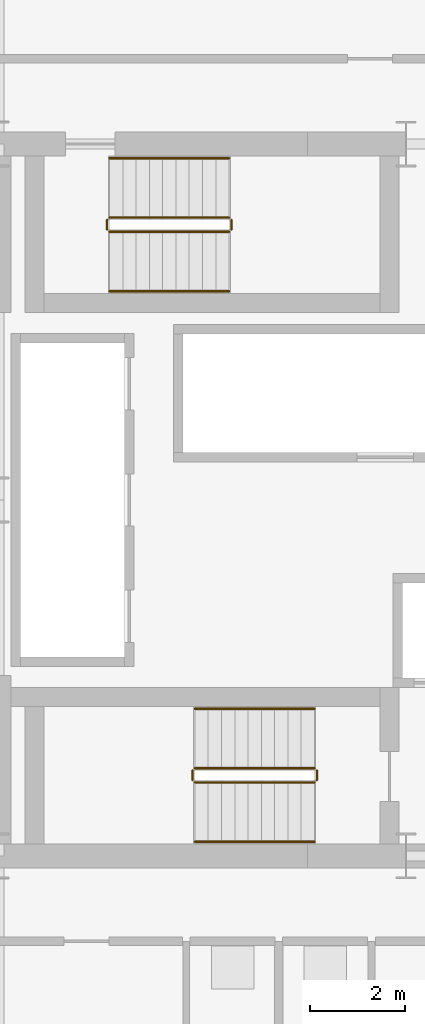
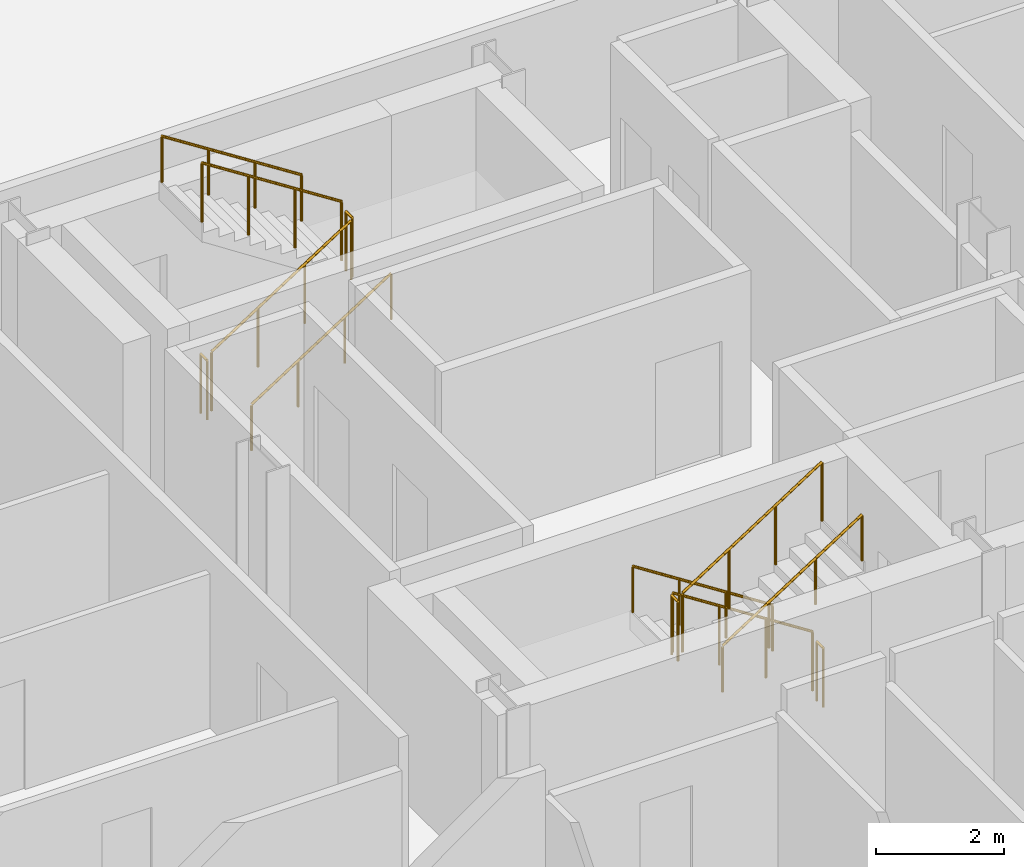
# One storey, part 22 of 23: 12 railings.
"""IFC4 building model written with IfcOpenShell, lengths in metres."""

from ifc_helpers import new_model, si_unit, direction, frame, origin, origin_2d, place, context, subcontext, project, spatial, circle, extrude, material, type_object, element, save


model = new_model("IFC4")

# Units and contexts
model_context = context("Model", 3, precision=1e-05, world=origin(), true_north=direction((0.0, 1.0)))
body_context = subcontext(model_context, "Body", "Model", "MODEL_VIEW")
ifc_project = project(units=[si_unit("LENGTHUNIT", "METRE"), si_unit("AREAUNIT", "SQUARE_METRE"), si_unit("VOLUMEUNIT", "CUBIC_METRE"), si_unit("PLANEANGLEUNIT", "RADIAN"), si_unit("MASSUNIT", "GRAM", prefix="KILO")], contexts=[model_context])

# Site, building, storey
site_placement = place(None, origin())
site = spatial("IfcSite", under=ifc_project, at=site_placement, CompositionType="ELEMENT")
building_placement = place(site_placement, origin())
building = spatial("IfcBuilding", under=site, at=building_placement, Name="Barlavira Tower and Art Museum", CompositionType="ELEMENT")
storey_placement = place(building_placement, frame((0.0, 0.0, 75.60009765625)))
storey = spatial("IfcBuildingStorey", under=building, at=storey_placement, Name="L18", CompositionType="ELEMENT", Elevation=75.60009765625)

# Railings
ifc_material = material(Name="Brushed stainless steel", Category="steel")
railing_type_1 = type_object("IfcRailingType", Name="Interior Void and Landing Guard Railing 1150", PredefinedType="GUARDRAIL", material=ifc_material)
railing_1_placement = place(storey_placement, frame((0.14990234375, -5.64990234375, 0.179931640625)))
element("IfcRailing", 1, at=railing_1_placement, inside=storey, type_object=railing_type_1, Name="L18 ST-T1 stair guard 1", PredefinedType="GUARDRAIL", context=body_context, shape_type="SweptSolid", body=[
    extrude(circle(Radius=0.02392578125, at=origin_2d()), frame((0.0, 0.0, 1.1259765625), z_axis=(-0.841199657755, 0.0, 0.540724639528), x_axis=(0.0, -1.0, 0.0)), (0.0, 0.0, 1.0), 2.995849609375),
    extrude(circle(Radius=0.02099609375, at=origin_2d()), origin(), (0.0, 0.0, 1.0), 1.101806640625),
    extrude(circle(Radius=0.02099609375, at=origin_2d()), frame((-0.840087890625, 0.0, 0.5400390625)), (0.0, 0.0, 1.0), 1.101806640625),
    extrude(circle(Radius=0.02099609375, at=origin_2d()), frame((-1.679931640625, 0.0, 1.079833984375)), (0.0, 0.0, 1.0), 1.101806640625),
    extrude(circle(Radius=0.02099609375, at=origin_2d()), frame((-2.52001953125, 0.0, 1.619873046875)), (0.0, 0.0, 1.0), 1.101806640625),
])
railing_2_placement = place(storey_placement, frame((-2.419921875, -5.699951171875, 1.7998046875)))
element("IfcRailing", 2, at=railing_2_placement, inside=storey, type_object=railing_type_1, Name="L18 ST-T1 stair guard 2", PredefinedType="GUARDRAIL", context=body_context, shape_type="SweptSolid", body=[
    extrude(circle(Radius=0.02392578125, at=origin_2d()), frame((0.0, 0.0, 1.1259765625), z_axis=(0.0, -1.0, 0.0), x_axis=(1.0, 0.0, 0.0)), (0.0, 0.0, 1.0), 0.199951171875),
    extrude(circle(Radius=0.02099609375, at=origin_2d()), origin(), (0.0, 0.0, 1.0), 1.101806640625),
    extrude(circle(Radius=0.02099609375, at=origin_2d()), frame((0.0, -0.199951171875, 0.0)), (0.0, 0.0, 1.0), 1.101806640625),
])
railing_3_placement = place(storey_placement, frame((-2.3701171875, -5.949951171875, 1.97998046875)))
element("IfcRailing", 3, at=railing_3_placement, inside=storey, type_object=railing_type_1, Name="L18 ST-T1 stair guard 3", PredefinedType="GUARDRAIL", context=body_context, shape_type="SweptSolid", body=[
    extrude(circle(Radius=0.02392578125, at=origin_2d()), frame((0.0, 0.0, 1.1259765625), z_axis=(0.841199657755, 0.0, 0.540724639528), x_axis=(0.0, 1.0, 0.0)), (0.0, 0.0, 1.0), 2.995849609375),
    extrude(circle(Radius=0.02099609375, at=origin_2d()), origin(), (0.0, 0.0, 1.0), 1.101806640625),
    extrude(circle(Radius=0.02099609375, at=origin_2d()), frame((0.840087890625, 0.0, 0.5400390625)), (0.0, 0.0, 1.0), 1.101806640625),
    extrude(circle(Radius=0.02099609375, at=origin_2d()), frame((1.679931640625, 0.0, 1.079833984375)), (0.0, 0.0, 1.0), 1.101806640625),
    extrude(circle(Radius=0.02099609375, at=origin_2d()), frame((2.52001953125, 0.0, 1.619873046875)), (0.0, 0.0, 1.0), 1.101806640625),
])
railing_4_placement = place(storey_placement, frame((0.199951171875, -5.699951171875, 0.0)))
element("IfcRailing", 4, at=railing_4_placement, inside=storey, type_object=railing_type_1, Name="L18 ST-T1 stair guard 4", PredefinedType="GUARDRAIL", context=body_context, shape_type="SweptSolid", body=[
    extrude(circle(Radius=0.02392578125, at=origin_2d()), frame((0.0, 0.0, 1.1259765625), z_axis=(0.0, -1.0, 0.0), x_axis=(1.0, 0.0, 0.0)), (0.0, 0.0, 1.0), 0.199951171875),
    extrude(circle(Radius=0.02099609375, at=origin_2d()), origin(), (0.0, 0.0, 1.0), 1.101806640625),
    extrude(circle(Radius=0.02099609375, at=origin_2d()), frame((0.0, -0.199951171875, 0.0)), (0.0, 0.0, 1.0), 1.101806640625),
])
railing_5_placement = place(storey_placement, frame((-4.169921875, 5.64990234375, 0.179931640625)))
element("IfcRailing", 5, at=railing_5_placement, inside=storey, type_object=railing_type_1, Name="L18 ST-T2 stair guard 1", PredefinedType="GUARDRAIL", context=body_context, shape_type="SweptSolid", body=[
    extrude(circle(Radius=0.02392578125, at=origin_2d()), frame((0.0, 0.0, 1.1259765625), z_axis=(0.841199657755, 0.0, 0.540724639528), x_axis=(0.0, 1.0, 0.0)), (0.0, 0.0, 1.0), 2.995849609375),
    extrude(circle(Radius=0.02099609375, at=origin_2d()), origin(), (0.0, 0.0, 1.0), 1.101806640625),
    extrude(circle(Radius=0.02099609375, at=origin_2d()), frame((0.840087890625, 0.0, 0.5400390625)), (0.0, 0.0, 1.0), 1.101806640625),
    extrude(circle(Radius=0.02099609375, at=origin_2d()), frame((1.679931640625, 0.0, 1.079833984375)), (0.0, 0.0, 1.0), 1.101806640625),
    extrude(circle(Radius=0.02099609375, at=origin_2d()), frame((2.52001953125, 0.0, 1.619873046875)), (0.0, 0.0, 1.0), 1.101806640625),
])
railing_6_placement = place(storey_placement, frame((-1.60009765625, 5.699951171875, 1.7998046875)))
element("IfcRailing", 6, at=railing_6_placement, inside=storey, type_object=railing_type_1, Name="L18 ST-T2 stair guard 2", PredefinedType="GUARDRAIL", context=body_context, shape_type="SweptSolid", body=[
    extrude(circle(Radius=0.02392578125, at=origin_2d()), frame((0.0, 0.0, 1.1259765625), z_axis=(0.0, 1.0, 0.0), x_axis=(-1.0, 0.0, 0.0)), (0.0, 0.0, 1.0), 0.199951171875),
    extrude(circle(Radius=0.02099609375, at=origin_2d()), origin(), (0.0, 0.0, 1.0), 1.101806640625),
    extrude(circle(Radius=0.02099609375, at=origin_2d()), frame((0.0, 0.199951171875, 0.0)), (0.0, 0.0, 1.0), 1.101806640625),
])
railing_7_placement = place(storey_placement, frame((-1.64990234375, 5.949951171875, 1.97998046875)))
element("IfcRailing", 7, at=railing_7_placement, inside=storey, type_object=railing_type_1, Name="L18 ST-T2 stair guard 3", PredefinedType="GUARDRAIL", context=body_context, shape_type="SweptSolid", body=[
    extrude(circle(Radius=0.02392578125, at=origin_2d()), frame((0.0, 0.0, 1.1259765625), z_axis=(-0.841199657755, 0.0, 0.540724639528), x_axis=(0.0, -1.0, 0.0)), (0.0, 0.0, 1.0), 2.995849609375),
    extrude(circle(Radius=0.02099609375, at=origin_2d()), origin(), (0.0, 0.0, 1.0), 1.101806640625),
    extrude(circle(Radius=0.02099609375, at=origin_2d()), frame((-0.840087890625, 0.0, 0.5400390625)), (0.0, 0.0, 1.0), 1.101806640625),
    extrude(circle(Radius=0.02099609375, at=origin_2d()), frame((-1.679931640625, 0.0, 1.079833984375)), (0.0, 0.0, 1.0), 1.101806640625),
    extrude(circle(Radius=0.02099609375, at=origin_2d()), frame((-2.52001953125, 0.0, 1.619873046875)), (0.0, 0.0, 1.0), 1.101806640625),
])
railing_8_placement = place(storey_placement, frame((-4.219970703125, 5.699951171875, 0.0)))
element("IfcRailing", 8, at=railing_8_placement, inside=storey, type_object=railing_type_1, Name="L18 ST-T2 stair guard 4", PredefinedType="GUARDRAIL", context=body_context, shape_type="SweptSolid", body=[
    extrude(circle(Radius=0.02392578125, at=origin_2d()), frame((0.0, 0.0, 1.1259765625), z_axis=(0.0, 1.0, 0.0), x_axis=(-1.0, 0.0, 0.0)), (0.0, 0.0, 1.0), 0.199951171875),
    extrude(circle(Radius=0.02099609375, at=origin_2d()), origin(), (0.0, 0.0, 1.0), 1.101806640625),
    extrude(circle(Radius=0.02099609375, at=origin_2d()), frame((0.0, 0.199951171875, 0.0)), (0.0, 0.0, 1.0), 1.101806640625),
])
railing_type_2 = type_object("IfcRailingType", Name="Stair Pitch Tubular Steel Handrail 920", PredefinedType="HANDRAIL", material=ifc_material)
railing_9_placement = place(storey_placement, frame((0.14990234375, -4.39990234375, 0.179931640625)))
element("IfcRailing", 9, at=railing_9_placement, inside=storey, type_object=railing_type_2, Name="L18 ST-T1 stair handrail 1", PredefinedType="HANDRAIL", context=body_context, shape_type="SweptSolid", body=[
    extrude(circle(Radius=0.02392578125, at=origin_2d()), frame((0.0, 0.0, 0.8759765625), z_axis=(-0.841199657755, 0.0, 0.540724639528), x_axis=(0.0, -1.0, 0.0)), (0.0, 0.0, 1.0), 2.995849609375),
    extrude(circle(Radius=0.02099609375, at=origin_2d()), origin(), (0.0, 0.0, 1.0), 0.851806640625),
    extrude(circle(Radius=0.02099609375, at=origin_2d()), frame((-0.840087890625, 0.0, 0.5400390625)), (0.0, 0.0, 1.0), 0.851806640625),
    extrude(circle(Radius=0.02099609375, at=origin_2d()), frame((-1.679931640625, 0.0, 1.079833984375)), (0.0, 0.0, 1.0), 0.851806640625),
    extrude(circle(Radius=0.02099609375, at=origin_2d()), frame((-2.52001953125, 0.0, 1.619873046875)), (0.0, 0.0, 1.0), 0.851806640625),
])
for number, where, name in (
    (10, (-2.3701171875, -7.199951171875, 1.97998046875), "L18 ST-T1 stair handrail 2"),
    (11, (-4.169921875, 4.39990234375, 0.179931640625), "L18 ST-T2 stair handrail 1"),
):
    element("IfcRailing", number, at=place(storey_placement, frame(where)), inside=storey, type_object=railing_type_2, Name=name, PredefinedType="HANDRAIL", context=body_context, shape_type="SweptSolid", body=[
        extrude(circle(Radius=0.02392578125, at=origin_2d()), frame((0.0, 0.0, 0.8759765625), z_axis=(0.841199657755, 0.0, 0.540724639528), x_axis=(0.0, 1.0, 0.0)), (0.0, 0.0, 1.0), 2.995849609375),
        extrude(circle(Radius=0.02099609375, at=origin_2d()), origin(), (0.0, 0.0, 1.0), 0.851806640625),
        extrude(circle(Radius=0.02099609375, at=origin_2d()), frame((0.840087890625, 0.0, 0.5400390625)), (0.0, 0.0, 1.0), 0.851806640625),
        extrude(circle(Radius=0.02099609375, at=origin_2d()), frame((1.679931640625, 0.0, 1.079833984375)), (0.0, 0.0, 1.0), 0.851806640625),
        extrude(circle(Radius=0.02099609375, at=origin_2d()), frame((2.52001953125, 0.0, 1.619873046875)), (0.0, 0.0, 1.0), 0.851806640625),
    ])
railing_10_placement = place(storey_placement, frame((-1.64990234375, 7.199951171875, 1.97998046875)))
element("IfcRailing", 12, at=railing_10_placement, inside=storey, type_object=railing_type_2, Name="L18 ST-T2 stair handrail 2", PredefinedType="HANDRAIL", context=body_context, shape_type="SweptSolid", body=[
    extrude(circle(Radius=0.02392578125, at=origin_2d()), frame((0.0, 0.0, 0.8759765625), z_axis=(-0.841199657755, 0.0, 0.540724639528), x_axis=(0.0, -1.0, 0.0)), (0.0, 0.0, 1.0), 2.995849609375),
    extrude(circle(Radius=0.02099609375, at=origin_2d()), origin(), (0.0, 0.0, 1.0), 0.851806640625),
    extrude(circle(Radius=0.02099609375, at=origin_2d()), frame((-0.840087890625, 0.0, 0.5400390625)), (0.0, 0.0, 1.0), 0.851806640625),
    extrude(circle(Radius=0.02099609375, at=origin_2d()), frame((-1.679931640625, 0.0, 1.079833984375)), (0.0, 0.0, 1.0), 0.851806640625),
    extrude(circle(Radius=0.02099609375, at=origin_2d()), frame((-2.52001953125, 0.0, 1.619873046875)), (0.0, 0.0, 1.0), 0.851806640625),
])

save(model, "model.ifc")
